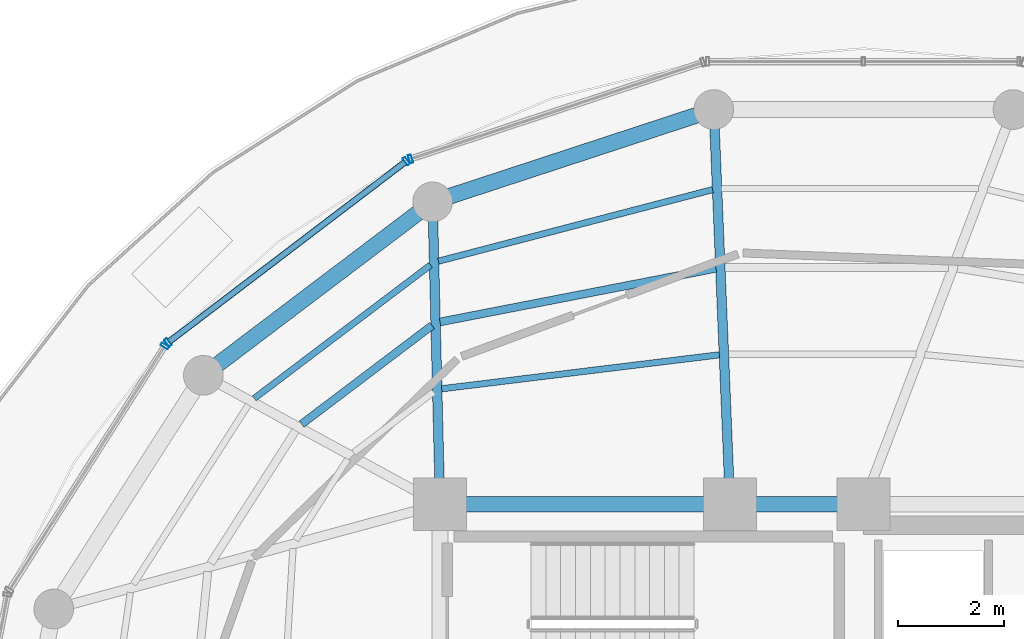
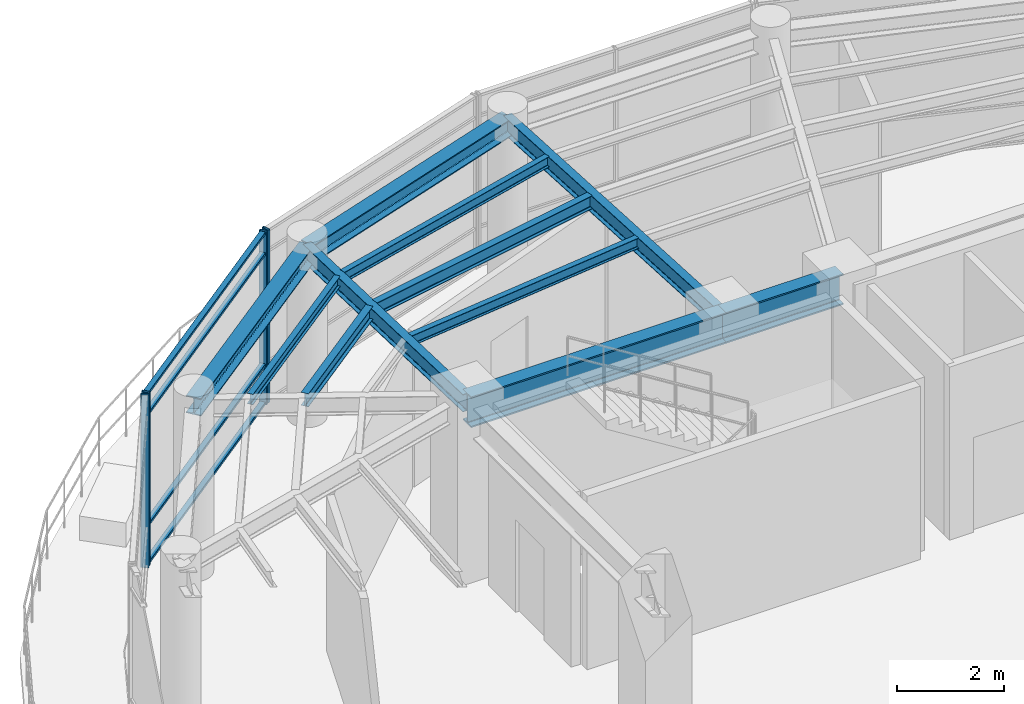
# One storey, part 10 of 20: 11 beams, 8 members, 3 elements without a shape of their own.
"""IFC4 building model written with IfcOpenShell, lengths in metres."""

from ifc_helpers import new_model, si_unit, direction, frame, origin, origin_2d, place, context, subcontext, project, spatial, hollow_rectangle, i_section, extrude, material, layer, layer_set, material_profile, profile_set, type_object, element, aggregate, save


model = new_model("IFC4")

# Units and contexts
model_context = context("Model", 3, precision=1e-05, world=origin(), true_north=direction((0.0, 1.0)))
body_context = subcontext(model_context, "Body", "Model", "MODEL_VIEW")
ifc_project = project(units=[si_unit("LENGTHUNIT", "METRE"), si_unit("AREAUNIT", "SQUARE_METRE"), si_unit("VOLUMEUNIT", "CUBIC_METRE"), si_unit("PLANEANGLEUNIT", "RADIAN"), si_unit("MASSUNIT", "GRAM", prefix="KILO")], contexts=[model_context])

# Site, building, storey
site_placement = place(None, origin())
site = spatial("IfcSite", under=ifc_project, at=site_placement, CompositionType="ELEMENT")
building_placement = place(site_placement, origin())
building = spatial("IfcBuilding", under=site, at=building_placement, Name="Kelanora Arch Commons", CompositionType="ELEMENT")
storey_placement = place(building_placement, frame((0.0, 0.0, 298.5)))
storey = spatial("IfcBuildingStorey", under=building, at=storey_placement, Name="L76", CompositionType="ELEMENT", Elevation=298.5)

# Beams
ifc_material_1 = material(Name="Steel S355", Category="steel")
ifc_material_profile_1 = material_profile(ifc_material_1, i_section(OverallWidth=0.300048828125, OverallDepth=0.699951171875, WebThickness=0.01708984375, FlangeThickness=0.031982421875, FilletRadius=0.027099609375, at=origin_2d()), Name="HEB700")
ifc_profile_set_1 = profile_set([ifc_material_profile_1], Name="Steel S355")
beam_type_1 = type_object("IfcBeamType", Name="BM-CORE-HDR", PredefinedType="BEAM", material=ifc_profile_set_1)
beam_1_placement = place(storey_placement, frame((74.0, 65.0, 3.590087890625), z_axis=(-1.0, 0.0, 0.0), x_axis=(0.0, -1.0, 0.0)))
element("IfcBeam", 1, at=beam_1_placement, inside=storey, type_object=beam_type_1, Name="Core Header Beam 06 L76", PredefinedType="BEAM", context=body_context, shape_type="SweptSolid", body=[
    extrude(i_section(OverallWidth=0.300048828125, OverallDepth=0.699951171875, WebThickness=0.01708984375, FlangeThickness=0.031982421875, FilletRadius=0.027099609375, at=origin_2d()), origin(), (0.0, 0.0, 1.0), 2.52001953125),
])
beam_2_placement = place(storey_placement, frame((71.47998046875, 65.0, 3.590087890625), z_axis=(-1.0, 0.0, 0.0), x_axis=(0.0, -1.0, 0.0)))
element("IfcBeam", 2, at=beam_2_placement, inside=storey, type_object=beam_type_1, Name="Core Header Beam 07 L76", PredefinedType="BEAM", context=body_context, shape_type="SweptSolid", body=[
    extrude(i_section(OverallWidth=0.300048828125, OverallDepth=0.699951171875, WebThickness=0.01708984375, FlangeThickness=0.031982421875, FilletRadius=0.027099609375, at=origin_2d()), origin(), (0.0, 0.0, 1.0), 5.47998046875),
])
ifc_material_profile_2 = material_profile(ifc_material_1, i_section(OverallWidth=0.14990234375, OverallDepth=0.300048828125, WebThickness=0.007080078125, FlangeThickness=0.0107421875, FilletRadius=0.014892578125, at=origin_2d()), Name="IPE300")
ifc_profile_set_2 = profile_set([ifc_material_profile_2], Name="Steel S355")
beam_type_2 = type_object("IfcBeamType", Name="BM-JST-01", PredefinedType="JOIST", material=ifc_profile_set_2)
beam_3_placement = place(storey_placement, frame((71.21240234375, 69.4580078125, 3.7900390625), z_axis=(-0.981604860643, -0.190923800405, 0.0), x_axis=(0.190923800405, -0.981604860643, 0.0)))
element("IfcBeam", 3, at=beam_3_placement, inside=storey, type_object=beam_type_2, Name="Secondary Chord Joist BJB-10 L76", PredefinedType="JOIST", context=body_context, shape_type="SweptSolid", body=[
    extrude(i_section(OverallWidth=0.14990234375, OverallDepth=0.300048828125, WebThickness=0.007080078125, FlangeThickness=0.0107421875, FilletRadius=0.014892578125, at=origin_2d()), origin(), (0.0, 0.0, 1.0), 5.310546875),
])
beam_4_placement = place(storey_placement, frame((65.84814453125, 68.376708984375, 3.7900390625), z_axis=(-0.797441333972, -0.603396485632, 0.0), x_axis=(0.603396485632, -0.797441333972, 0.0)))
element("IfcBeam", 4, at=beam_4_placement, inside=storey, type_object=beam_type_2, Name="Secondary Chord Joist BJB-12 L76", PredefinedType="JOIST", context=body_context, shape_type="SweptSolid", body=[
    extrude(i_section(OverallWidth=0.14990234375, OverallDepth=0.300048828125, WebThickness=0.007080078125, FlangeThickness=0.0107421875, FilletRadius=0.014892578125, at=origin_2d()), origin(), (0.0, 0.0, 1.0), 3.0888671875),
])
ifc_material_profile_3 = material_profile(ifc_material_1, i_section(OverallWidth=0.1201171875, OverallDepth=0.239990234375, WebThickness=0.006103515625, FlangeThickness=0.009765625, FilletRadius=0.014892578125, at=origin_2d()), Name="IPE240")
ifc_profile_set_3 = profile_set([ifc_material_profile_3], Name="Steel S355")
beam_type_3 = type_object("IfcBeamType", Name="BM-JST-02", PredefinedType="JOIST", material=ifc_profile_set_3)
beam_5_placement = place(storey_placement, frame((71.279052734375, 67.8232421875, 3.820068359375), z_axis=(-0.992603319322, -0.121402843754, 0.0), x_axis=(0.121402843754, -0.992603319322, 0.0)))
element("IfcBeam", 5, at=beam_5_placement, inside=storey, type_object=beam_type_3, Name="Secondary Chord Joist BJA-10 L76", PredefinedType="JOIST", context=body_context, shape_type="SweptSolid", body=[
    extrude(i_section(OverallWidth=0.1201171875, OverallDepth=0.239990234375, WebThickness=0.006103515625, FlangeThickness=0.009765625, FilletRadius=0.014892578125, at=origin_2d()), origin(), (0.0, 0.0, 1.0), 5.286865234375),
])
beam_6_placement = place(storey_placement, frame((71.152099609375, 70.944091796875, 3.820068359375), z_axis=(-0.967605652479, -0.252466435968, 0.0), x_axis=(0.252466435968, -0.967605652479, 0.0)))
element("IfcBeam", 6, at=beam_6_placement, inside=storey, type_object=beam_type_3, Name="Secondary Chord Joist BJC-10 L76", PredefinedType="JOIST", context=body_context, shape_type="SweptSolid", body=[
    extrude(i_section(OverallWidth=0.1201171875, OverallDepth=0.239990234375, WebThickness=0.006103515625, FlangeThickness=0.009765625, FilletRadius=0.014892578125, at=origin_2d()), origin(), (0.0, 0.0, 1.0), 5.35546875),
])
beam_7_placement = place(storey_placement, frame((65.8203125, 69.519287109375, 3.820068359375), z_axis=(-0.797480905842, -0.603344184373, 0.0), x_axis=(0.603344184373, -0.797480905842, 0.0)))
element("IfcBeam", 7, at=beam_7_placement, inside=storey, type_object=beam_type_3, Name="Secondary Chord Joist BJC-12 L76", PredefinedType="JOIST", context=body_context, shape_type="SweptSolid", body=[
    extrude(i_section(OverallWidth=0.1201171875, OverallDepth=0.239990234375, WebThickness=0.006103515625, FlangeThickness=0.009765625, FilletRadius=0.014892578125, at=origin_2d()), origin(), (0.0, 0.0, 1.0), 4.175048828125),
])
ifc_material_profile_4 = material_profile(ifc_material_1, i_section(OverallWidth=0.179931640625, OverallDepth=0.39990234375, WebThickness=0.008544921875, FlangeThickness=0.013427734375, FilletRadius=0.02099609375, at=origin_2d()), Name="IPE400")
ifc_profile_set_4 = profile_set([ifc_material_profile_4], Name="Steel S355")
beam_type_4 = type_object("IfcBeamType", Name="BM-RAD-Z5", PredefinedType="BEAM", material=ifc_profile_set_4)
beam_8_placement = place(storey_placement, frame((71.47998046875, 65.0, 3.739990234375), z_axis=(-0.041118939996, 0.999154258748, 0.0), x_axis=(-0.999154258748, -0.041118939996, 0.0)))
element("IfcBeam", 8, at=beam_8_placement, inside=storey, type_object=beam_type_4, Name="Radial Floor Girder BR-10 L76", PredefinedType="BEAM", context=body_context, shape_type="SweptSolid", body=[
    extrude(i_section(OverallWidth=0.179931640625, OverallDepth=0.39990234375, WebThickness=0.008544921875, FlangeThickness=0.013427734375, FilletRadius=0.02099609375, at=origin_2d()), origin(), (0.0, 0.0, 1.0), 7.46337890625),
])
beam_9_placement = place(storey_placement, frame((66.0, 65.0, 3.739990234375), z_axis=(-0.0244777504, 0.99970037498, 0.0), x_axis=(-0.99970037498, -0.0244777504, 0.0)))
element("IfcBeam", 9, at=beam_9_placement, inside=storey, type_object=beam_type_4, Name="Radial Floor Girder BR-12 L76", PredefinedType="BEAM", context=body_context, shape_type="SweptSolid", body=[
    extrude(i_section(OverallWidth=0.179931640625, OverallDepth=0.39990234375, WebThickness=0.008544921875, FlangeThickness=0.013427734375, FilletRadius=0.02099609375, at=origin_2d()), origin(), (0.0, 0.0, 1.0), 5.715087890625),
])
ifc_material_profile_5 = material_profile(ifc_material_1, i_section(OverallWidth=0.300048828125, OverallDepth=0.39990234375, WebThickness=0.013427734375, FlangeThickness=0.02392578125, FilletRadius=0.027099609375, at=origin_2d()), Name="HEB400")
ifc_profile_set_5 = profile_set([ifc_material_profile_5], Name="Steel S355")
beam_type_5 = type_object("IfcBeamType", Name="BM-SPN-Z4", PredefinedType="SPANDREL", material=ifc_profile_set_5)
beam_10_placement = place(storey_placement, frame((71.173095703125, 72.45703125, 3.739990234375), z_axis=(-0.950140083071, -0.311823383572, 0.0), x_axis=(0.311823383572, -0.950140083071, 0.0)))
element("IfcBeam", 10, at=beam_10_placement, inside=storey, type_object=beam_type_5, Name="Perimeter Spandrel Beam BS-10 L76", PredefinedType="SPANDREL", context=body_context, shape_type="SweptSolid", body=[
    extrude(i_section(OverallWidth=0.300048828125, OverallDepth=0.39990234375, WebThickness=0.013427734375, FlangeThickness=0.02392578125, FilletRadius=0.027099609375, at=origin_2d()), origin(), (0.0, 0.0, 1.0), 5.591796875),
])
beam_11_placement = place(storey_placement, frame((65.860107421875, 70.71337890625, 3.739990234375), z_axis=(-0.797441458309, -0.603396321309, 0.0), x_axis=(0.603396321309, -0.797441458309, 0.0)))
element("IfcBeam", 11, at=beam_11_placement, inside=storey, type_object=beam_type_5, Name="Perimeter Spandrel Beam BS-12 L76", PredefinedType="SPANDREL", context=body_context, shape_type="SweptSolid", body=[
    extrude(i_section(OverallWidth=0.300048828125, OverallDepth=0.39990234375, WebThickness=0.013427734375, FlangeThickness=0.02392578125, FilletRadius=0.027099609375, at=origin_2d()), origin(), (0.0, 0.0, 1.0), 5.431396484375),
])

# Curtain wall, member
ifc_material_2 = material(Name="Terracotta ceramic-fritted low-E glass and aluminium", Category="masonry")
ifc_layer = layer(ifc_material_2, 0.14990234375)
ifc_layer_set = layer_set([ifc_layer], Name="Terracotta ceramic-fritted low-E glass and aluminium")
curtain_wall_type = type_object("IfcCurtainWallType", Name="CW-SYS-06", PredefinedType="NOTDEFINED", material=ifc_layer_set)
curtain_wall_1_placement = place(storey_placement, origin())
curtain_wall_1 = element("IfcCurtainWall", 12, at=curtain_wall_1_placement, inside=storey, type_object=curtain_wall_type, Name="Unitised Curtain Wall L76-B05", PredefinedType="NOTDEFINED")
ifc_material_3 = material(Name="Powder-coated aluminium terracotta", Category="masonry")
ifc_material_profile_6 = material_profile(ifc_material_3, hollow_rectangle(XDim=0.159912109375, YDim=0.06005859375, WallThickness=0.0048828125, InnerFilletRadius=0.0048828125, OuterFilletRadius=0.010009765625, at=origin_2d()), Name="CWM160x60")
ifc_profile_set_6 = profile_set([ifc_material_profile_6], Name="Powder-coated aluminium terracotta")
member_type_1 = type_object("IfcMemberType", Name="CWM-STD", PredefinedType="MULLION", material=ifc_profile_set_6)
member_1_placement = place(storey_placement, frame((65.442626953125, 71.524169921875, 0.0), z_axis=(0.0, 0.0, 1.0), x_axis=(0.313466845323, -0.949599145368, 0.0)))
member_1 = element("IfcMember", 13, at=member_1_placement, type_object=member_type_1, Name="CW-06 mullion 2", PredefinedType="MULLION", context=body_context, shape_type="SweptSolid", body=[
    extrude(hollow_rectangle(XDim=0.159912109375, YDim=0.06005859375, WallThickness=0.0048828125, InnerFilletRadius=0.0048828125, OuterFilletRadius=0.010009765625, at=origin_2d()), origin(), (0.0, 0.0, 1.0), 3.925048828125),
])
aggregate(curtain_wall_1, [member_1])

# Curtain wall, members
curtain_wall_2_placement = place(storey_placement, origin())
curtain_wall_2 = element("IfcCurtainWall", 14, at=curtain_wall_2_placement, inside=storey, type_object=curtain_wall_type, Name="Unitised Curtain Wall L76-B06", PredefinedType="NOTDEFINED")
member_2_placement = place(storey_placement, frame((65.3642578125, 71.482666015625, 0.0), z_axis=(0.0, 0.0, 1.0), x_axis=(0.605595960801, -0.795772286688, 0.0)))
member_2 = element("IfcMember", 15, at=member_2_placement, type_object=member_type_1, Name="CW-06 mullion 1", PredefinedType="MULLION", context=body_context, shape_type="SweptSolid", body=[
    extrude(hollow_rectangle(XDim=0.159912109375, YDim=0.06005859375, WallThickness=0.0048828125, InnerFilletRadius=0.0048828125, OuterFilletRadius=0.010009765625, at=origin_2d()), origin(), (0.0, 0.0, 1.0), 3.925048828125),
])
member_3_placement = place(storey_placement, frame((60.85986328125, 68.0546875, 0.0), z_axis=(0.0, 0.0, 1.0), x_axis=(0.605595960801, -0.795772286688, 0.0)))
member_3 = element("IfcMember", 16, at=member_3_placement, type_object=member_type_1, Name="CW-06 mullion 2", PredefinedType="MULLION", context=body_context, shape_type="SweptSolid", body=[
    extrude(hollow_rectangle(XDim=0.159912109375, YDim=0.06005859375, WallThickness=0.0048828125, InnerFilletRadius=0.0048828125, OuterFilletRadius=0.010009765625, at=origin_2d()), origin(), (0.0, 0.0, 1.0), 3.925048828125),
])

# Curtain wall, member
curtain_wall_3_placement = place(storey_placement, origin())
curtain_wall_3 = element("IfcCurtainWall", 17, at=curtain_wall_3_placement, inside=storey, type_object=curtain_wall_type, Name="Unitised Curtain Wall L76-B07", PredefinedType="NOTDEFINED")
member_4_placement = place(storey_placement, frame((60.7998046875, 67.989501953125, 0.0), z_axis=(0.0, 0.0, 1.0), x_axis=(0.84359225554, -0.536984270154, 0.0)))
member_4 = element("IfcMember", 18, at=member_4_placement, type_object=member_type_1, Name="CW-06 mullion 1", PredefinedType="MULLION", context=body_context, shape_type="SweptSolid", body=[
    extrude(hollow_rectangle(XDim=0.159912109375, YDim=0.06005859375, WallThickness=0.0048828125, InnerFilletRadius=0.0048828125, OuterFilletRadius=0.010009765625, at=origin_2d()), origin(), (0.0, 0.0, 1.0), 3.925048828125),
])
aggregate(curtain_wall_3, [member_4])

# Member
ifc_material_profile_7 = material_profile(ifc_material_3, hollow_rectangle(XDim=0.1201171875, YDim=0.06005859375, WallThickness=0.0048828125, InnerFilletRadius=0.0048828125, OuterFilletRadius=0.010009765625, at=origin_2d()), Name="CWT120x60")
ifc_profile_set_7 = profile_set([ifc_material_profile_7], Name="Powder-coated aluminium terracotta")
member_type_2 = type_object("IfcMemberType", Name="CWT-STD", PredefinedType="USERDEFINED", material=ifc_profile_set_7)
member_5_placement = place(storey_placement, frame((65.34033203125, 71.464599609375, 0.030029296875), z_axis=(-0.79577982782, -0.605586051387, 0.0), x_axis=(0.605586051387, -0.79577982782, 0.0)))
member_5 = element("IfcMember", 19, at=member_5_placement, type_object=member_type_2, Name="CW-06 transom 1.1", ObjectType="TRANSOM", PredefinedType="USERDEFINED", context=body_context, shape_type="SweptSolid", body=[
    extrude(hollow_rectangle(XDim=0.1201171875, YDim=0.06005859375, WallThickness=0.0048828125, InnerFilletRadius=0.0048828125, OuterFilletRadius=0.010009765625, at=origin_2d()), origin(), (0.0, 0.0, 1.0), 5.6005859375),
])

member_6_placement = place(storey_placement, frame((65.34033203125, 71.464599609375, 0.89990234375), z_axis=(-0.79577982782, -0.605586051387, 0.0), x_axis=(0.605586051387, -0.79577982782, 0.0)))
member_6 = element("IfcMember", 20, at=member_6_placement, type_object=member_type_2, Name="CW-06 transom 1.2", ObjectType="TRANSOM", PredefinedType="USERDEFINED", context=body_context, shape_type="SweptSolid", body=[
    extrude(hollow_rectangle(XDim=0.1201171875, YDim=0.06005859375, WallThickness=0.0048828125, InnerFilletRadius=0.0048828125, OuterFilletRadius=0.010009765625, at=origin_2d()), origin(), (0.0, 0.0, 1.0), 5.6005859375),
])

member_7_placement = place(storey_placement, frame((65.34033203125, 71.464599609375, 3.425048828125), z_axis=(-0.79577982782, -0.605586051387, 0.0), x_axis=(0.605586051387, -0.79577982782, 0.0)))
member_7 = element("IfcMember", 21, at=member_7_placement, type_object=member_type_2, Name="CW-06 transom 1.3", ObjectType="TRANSOM", PredefinedType="USERDEFINED", context=body_context, shape_type="SweptSolid", body=[
    extrude(hollow_rectangle(XDim=0.1201171875, YDim=0.06005859375, WallThickness=0.0048828125, InnerFilletRadius=0.0048828125, OuterFilletRadius=0.010009765625, at=origin_2d()), origin(), (0.0, 0.0, 1.0), 5.6005859375),
])

member_8_placement = place(storey_placement, frame((65.34033203125, 71.464599609375, 3.89501953125), z_axis=(-0.79577982782, -0.605586051387, 0.0), x_axis=(0.605586051387, -0.79577982782, 0.0)))
member_8 = element("IfcMember", 22, at=member_8_placement, type_object=member_type_2, Name="CW-06 transom 1.4", ObjectType="TRANSOM", PredefinedType="USERDEFINED", context=body_context, shape_type="SweptSolid", body=[
    extrude(hollow_rectangle(XDim=0.1201171875, YDim=0.06005859375, WallThickness=0.0048828125, InnerFilletRadius=0.0048828125, OuterFilletRadius=0.010009765625, at=origin_2d()), origin(), (0.0, 0.0, 1.0), 5.6005859375),
])

aggregate(curtain_wall_2, [member_2, member_3, member_5, member_6, member_7, member_8])

save(model, "model.ifc")
